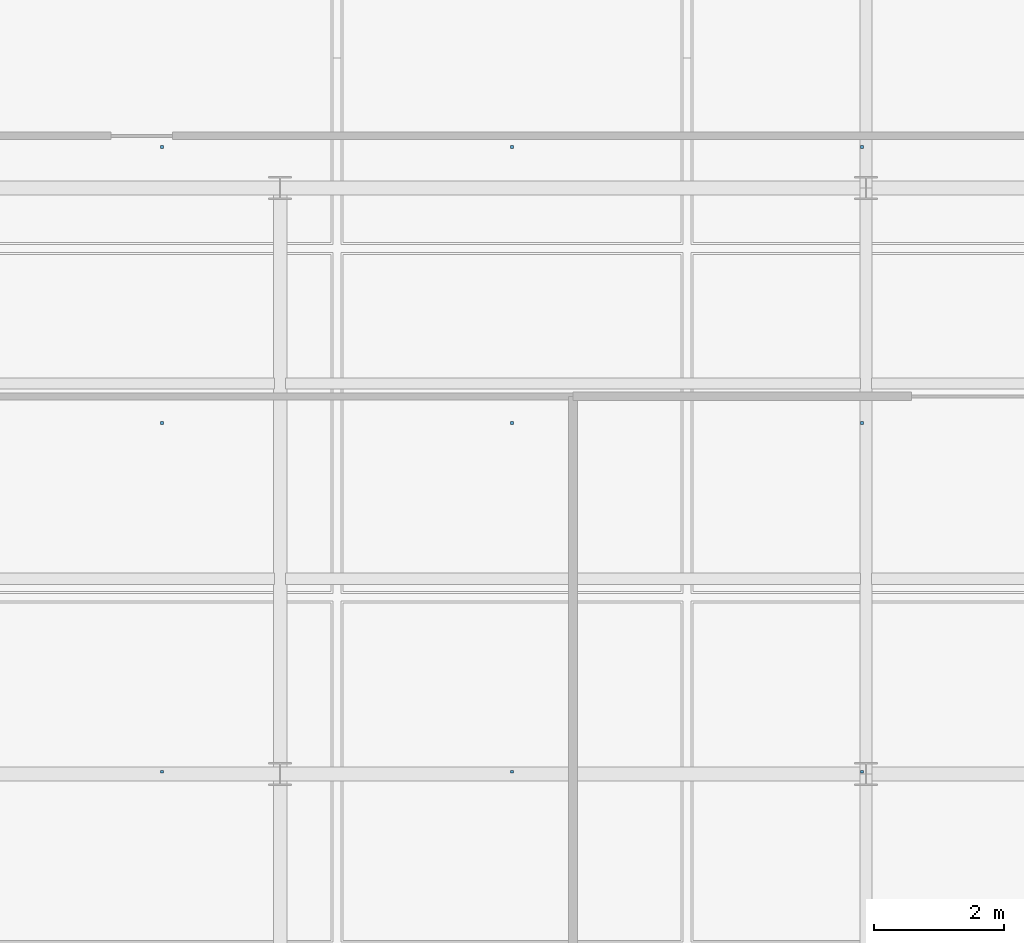
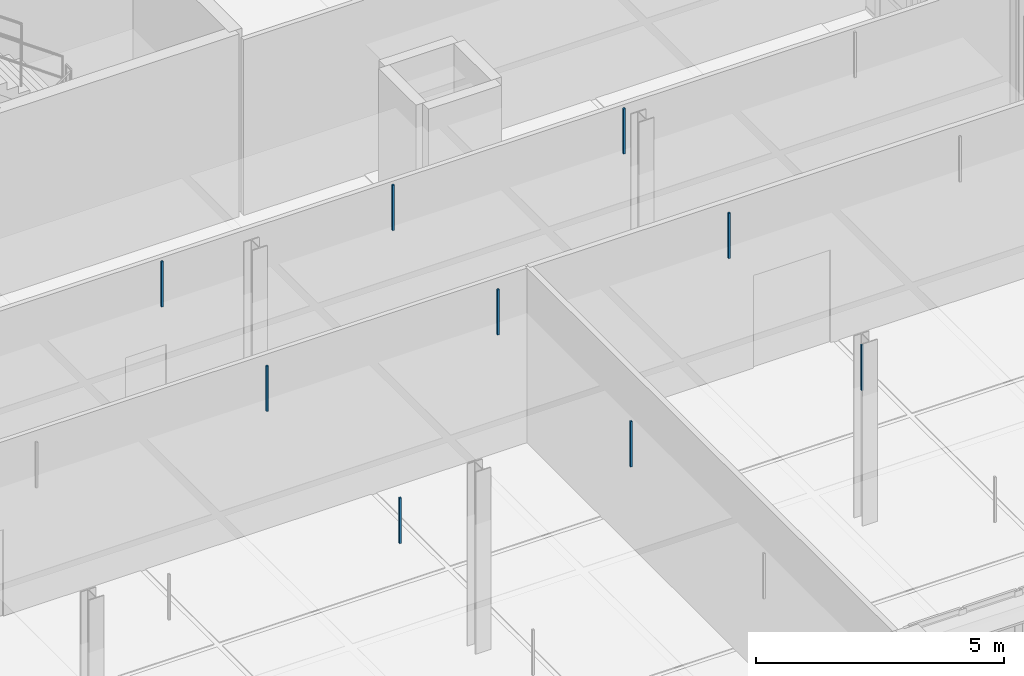
# One storey, part 123 of 140: 9 discrete accessories.
"""IFC4 building model written with IfcOpenShell, lengths in metres."""

from ifc_helpers import new_model, si_unit, direction, frame, origin, origin_2d, place, context, subcontext, project, spatial, rectangle, extrude, material, type_object, element, save


model = new_model("IFC4")

# Units and contexts
model_context = context("Model", 3, precision=1e-05, world=origin(), true_north=direction((0.0, 1.0)))
body_context = subcontext(model_context, "Body", "Model", "MODEL_VIEW")
ifc_project = project(units=[si_unit("LENGTHUNIT", "METRE"), si_unit("AREAUNIT", "SQUARE_METRE"), si_unit("VOLUMEUNIT", "CUBIC_METRE"), si_unit("PLANEANGLEUNIT", "RADIAN"), si_unit("MASSUNIT", "GRAM", prefix="KILO"), si_unit("THERMODYNAMICTEMPERATUREUNIT", "KELVIN"), si_unit("POWERUNIT", "WATT")], contexts=[model_context])

# Site, building, storey
site_placement = place(None, origin())
site = spatial("IfcSite", under=ifc_project, at=site_placement, CompositionType="ELEMENT")
building_placement = place(site_placement, origin())
building = spatial("IfcBuilding", under=site, at=building_placement, Name="Tallowbark Science Centre", CompositionType="ELEMENT")
storey_placement = place(building_placement, frame((0.0, 0.0, 9.89990234375)))
storey = spatial("IfcBuildingStorey", under=building, at=storey_placement, Name="L02", CompositionType="ELEMENT", Elevation=9.89990234375)

# Discrete accessories
ifc_material = material(Name="Galvanised Steel Grade C350L0 (350 MPa)", Category="steel")
discrete_accessory_type = type_object("IfcDiscreteAccessoryType", Name="ACC-CLG-HNG", PredefinedType="BRACKET", material=ifc_material)
for number, where, z_axis, x_axis, name in (
    (1, (137.6875, 81.03564453125, 3.2060546875), (0.0, 0.0, 1.0), (1.0, 0.0, 0.0), "Ceiling Hanger Bracket L02-923"),
    (2, (137.6875, 86.392822265625, 3.2060546875), (0.0, 0.0, 1.0), (1.0, 0.0, 0.0), "Ceiling Hanger Bracket L02-924"),
    (3, (137.6875, 90.630615234375, 3.2060546875), (0.0, 0.0, 1.0), (1.0, 0.0, 0.0), "Ceiling Hanger Bracket L02-925"),
    (4, (143.0625, 81.03564453125, 3.2060546875), (0.0, 0.0, 1.0), (1.0, 0.0, 0.0), "Ceiling Hanger Bracket L02-928"),
    (5, (143.0625, 86.392822265625, 3.2060546875), (0.0, 0.0, 1.0), (1.0, 0.0, 0.0), "Ceiling Hanger Bracket L02-929"),
    (6, (143.0625, 90.630615234375, 3.2060546875), (0.0, 0.0, 1.0), (1.0, 0.0, 0.0), "Ceiling Hanger Bracket L02-930"),
    (7, (148.4375, 81.03564453125, 3.2060546875), (0.0, 0.0, 1.0), (1.0, 0.0, 0.0), "Ceiling Hanger Bracket L02-933"),
    (8, (148.4375, 86.392822265625, 3.2060546875), (0.0, 0.0, 1.0), (1.0, 0.0, 0.0), "Ceiling Hanger Bracket L02-934"),
    (9, (148.4375, 90.630615234375, 3.2060546875), (0.0, 0.0, 1.0), (1.0, 0.0, 0.0), "Ceiling Hanger Bracket L02-935"),
):
    element("IfcDiscreteAccessory", number, at=place(storey_placement, frame(where, z_axis=z_axis, x_axis=x_axis)), inside=storey, type_object=discrete_accessory_type, Name=name, PredefinedType="BRACKET", context=body_context, shape_type="SweptSolid", body=[
        extrude(rectangle(XDim=0.044921875, YDim=0.044921875, at=origin_2d()), origin(), (0.0, 0.0, 1.0), 1.116943359375),
    ])

save(model, "model.ifc")
